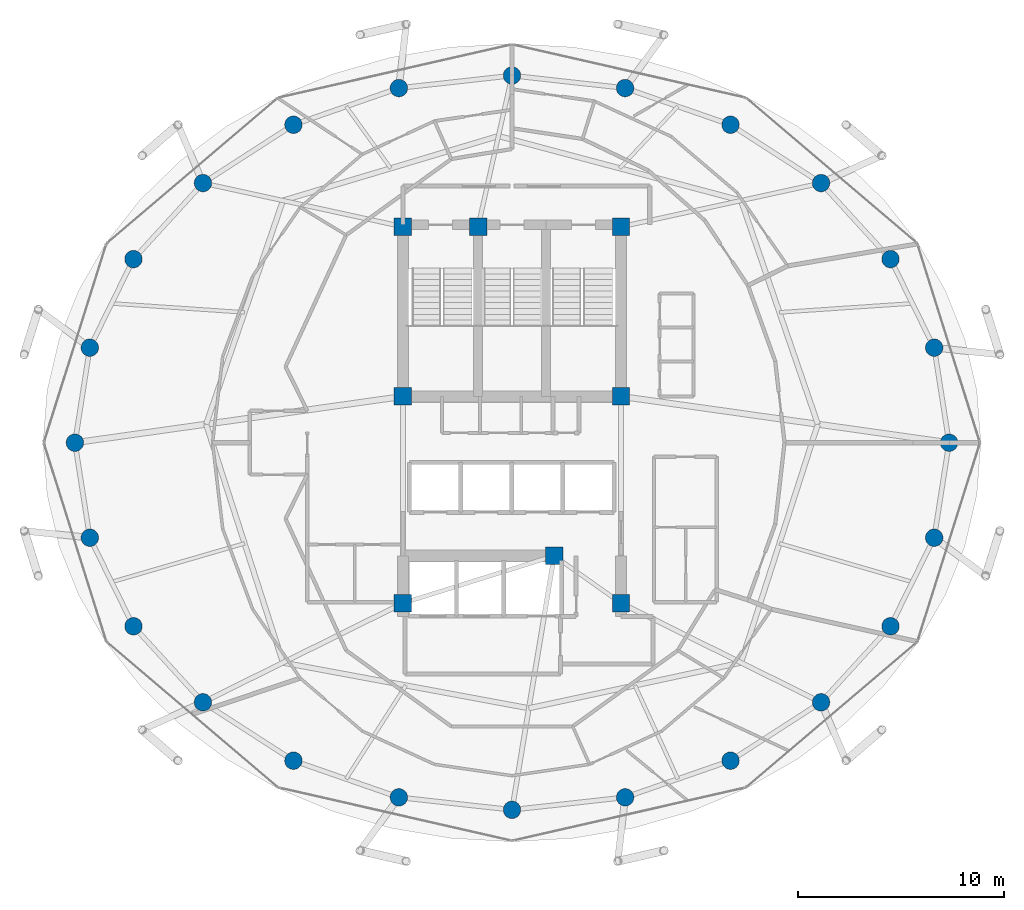
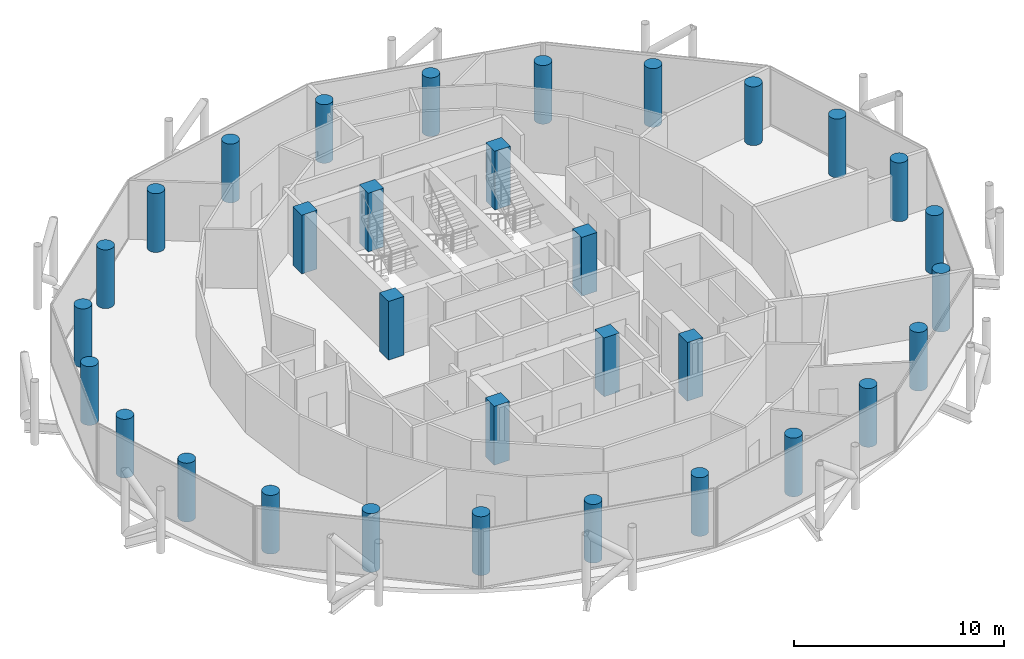
# One storey, part 1 of 27: 32 columns.
"""IFC4 building model written with IfcOpenShell, lengths in metres."""

from ifc_helpers import new_model, si_unit, direction, frame, origin, origin_2d, place, context, subcontext, project, spatial, rectangle, circle, extrude, material, material_profile, profile_set, type_object, element, save


model = new_model("IFC4")

# Units and contexts
model_context = context("Model", 3, precision=1e-05, world=origin(), true_north=direction((0.0, 1.0)))
body_context = subcontext(model_context, "Body", "Model", "MODEL_VIEW")
ifc_project = project(units=[si_unit("LENGTHUNIT", "METRE"), si_unit("AREAUNIT", "SQUARE_METRE"), si_unit("VOLUMEUNIT", "CUBIC_METRE"), si_unit("PLANEANGLEUNIT", "RADIAN"), si_unit("MASSUNIT", "GRAM", prefix="KILO")], contexts=[model_context])

# Site, building, storey
site_placement = place(None, origin())
site = spatial("IfcSite", under=ifc_project, at=site_placement, CompositionType="ELEMENT")
building_placement = place(site_placement, origin())
building = spatial("IfcBuilding", under=site, at=building_placement, Name="Nuhasar Tower", CompositionType="ELEMENT")
storey_placement = place(building_placement, frame((0.0, 0.0, 237.35009765625)))
storey = spatial("IfcBuildingStorey", under=building, at=storey_placement, Name="L58", CompositionType="ELEMENT", Elevation=237.35009765625)

# Columns
ifc_material = material(Name="Concrete C55/67", Category="concrete")
ifc_material_profile_1 = material_profile(ifc_material, circle(Radius=0.425048828125, at=origin_2d()), Name="CFT850")
ifc_profile_set_1 = profile_set([ifc_material_profile_1], Name="Concrete C55/67")
column_type_1 = type_object("IfcColumnType", Name="COL-CFT-850", PredefinedType="COLUMN", material=ifc_profile_set_1)
for number, where, z_axis, x_axis, name in (
    (1, (60.25, 26.800048828125, 0.0), (0.0, 0.0, 1.0), (1.0, 0.0, 0.0), "L58 Perimeter Composite Column TC-01"),
    (2, (59.52587890625, 31.419921875, 0.0), (0.0, 0.0, 1.0), (1.0, 0.0, 0.0), "L58 Perimeter Composite Column TC-02"),
    (3, (57.403076171875, 35.72509765625, 0.0), (0.0, 0.0, 1.0), (1.0, 0.0, 0.0), "L58 Perimeter Composite Column TC-03"),
    (4, (54.02587890625, 39.422119140625, 0.0), (0.0, 0.0, 1.0), (1.0, 0.0, 0.0), "L58 Perimeter Composite Column TC-04"),
    (5, (49.625, 42.259033203125, 0.0), (0.0, 0.0, 1.0), (1.0, 0.0, 0.0), "L58 Perimeter Composite Column TC-05"),
    (6, (44.5, 44.0419921875, 0.0), (0.0, 0.0, 1.0), (1.0, 0.0, 0.0), "L58 Perimeter Composite Column TC-06"),
    (7, (39.0, 44.64990234375, 0.0), (0.0, 0.0, 1.0), (1.0, 0.0, 0.0), "L58 Perimeter Composite Column TC-07"),
    (8, (33.5, 44.0419921875, 0.0), (0.0, 0.0, 1.0), (1.0, 0.0, 0.0), "L58 Perimeter Composite Column TC-08"),
    (9, (28.375, 42.259033203125, 0.0), (0.0, 0.0, 1.0), (1.0, 0.0, 0.0), "L58 Perimeter Composite Column TC-09"),
    (10, (23.97412109375, 39.422119140625, 0.0), (0.0, 0.0, 1.0), (1.0, 0.0, 0.0), "L58 Perimeter Composite Column TC-10"),
    (11, (20.596923828125, 35.72509765625, 0.0), (0.0, 0.0, 1.0), (1.0, 0.0, 0.0), "L58 Perimeter Composite Column TC-11"),
    (12, (18.47412109375, 31.419921875, 0.0), (0.0, 0.0, 1.0), (1.0, 0.0, 0.0), "L58 Perimeter Composite Column TC-12"),
    (13, (17.75, 26.800048828125, 0.0), (0.0, 0.0, 1.0), (1.0, 0.0, 0.0), "L58 Perimeter Composite Column TC-13"),
    (14, (18.47412109375, 22.179931640625, 0.0), (0.0, 0.0, 1.0), (1.0, 0.0, 0.0), "L58 Perimeter Composite Column TC-14"),
    (15, (20.596923828125, 17.875, 0.0), (0.0, 0.0, 1.0), (1.0, 0.0, 0.0), "L58 Perimeter Composite Column TC-15"),
    (16, (23.97412109375, 14.177978515625, 0.0), (0.0, 0.0, 1.0), (1.0, 0.0, 0.0), "L58 Perimeter Composite Column TC-16"),
    (17, (28.375, 11.341064453125, 0.0), (0.0, 0.0, 1.0), (1.0, 0.0, 0.0), "L58 Perimeter Composite Column TC-17"),
    (18, (33.5, 9.55810546875, 0.0), (0.0, 0.0, 1.0), (1.0, 0.0, 0.0), "L58 Perimeter Composite Column TC-18"),
    (19, (39.0, 8.949951171875, 0.0), (0.0, 0.0, 1.0), (1.0, 0.0, 0.0), "L58 Perimeter Composite Column TC-19"),
    (20, (44.5, 9.55810546875, 0.0), (0.0, 0.0, 1.0), (1.0, 0.0, 0.0), "L58 Perimeter Composite Column TC-20"),
    (21, (49.625, 11.341064453125, 0.0), (0.0, 0.0, 1.0), (1.0, 0.0, 0.0), "L58 Perimeter Composite Column TC-21"),
    (22, (54.02587890625, 14.177978515625, 0.0), (0.0, 0.0, 1.0), (1.0, 0.0, 0.0), "L58 Perimeter Composite Column TC-22"),
    (23, (57.403076171875, 17.875, 0.0), (0.0, 0.0, 1.0), (1.0, 0.0, 0.0), "L58 Perimeter Composite Column TC-23"),
    (24, (59.52587890625, 22.179931640625, 0.0), (0.0, 0.0, 1.0), (1.0, 0.0, 0.0), "L58 Perimeter Composite Column TC-24"),
):
    element("IfcColumn", number, at=place(storey_placement, frame(where, z_axis=z_axis, x_axis=x_axis)), inside=storey, type_object=column_type_1, Name=name, PredefinedType="COLUMN", context=body_context, shape_type="SweptSolid", body=[
        extrude(circle(Radius=0.425048828125, at=origin_2d()), origin(), (0.0, 0.0, 1.0), 3.409912109375),
    ])
ifc_material_profile_2 = material_profile(ifc_material, rectangle(XDim=0.85009765625, YDim=0.85009765625, at=origin_2d()), Name="RC850X850")
ifc_profile_set_2 = profile_set([ifc_material_profile_2], Name="Concrete C55/67")
column_type_2 = type_object("IfcColumnType", Name="PIL-RC-850", PredefinedType="PILASTER", material=ifc_profile_set_2)
for number, where, z_axis, x_axis, name in (
    (25, (33.699951171875, 19.0, 0.0), (0.0, 0.0, 1.0), (1.0, 0.0, 0.0), "L58 Core Boundary Pilaster CC-01"),
    (26, (41.050048828125, 21.300048828125, 0.0), (0.0, 0.0, 1.0), (1.0, 0.0, 0.0), "L58 Core Boundary Pilaster CC-02"),
    (27, (44.300048828125, 19.0, 0.0), (0.0, 0.0, 1.0), (1.0, 0.0, 0.0), "L58 Core Boundary Pilaster CC-03"),
    (28, (44.300048828125, 29.050048828125, 0.0), (0.0, 0.0, 1.0), (1.0, 0.0, 0.0), "L58 Core Boundary Pilaster CC-04"),
    (29, (44.300048828125, 37.300048828125, 0.0), (0.0, 0.0, 1.0), (1.0, 0.0, 0.0), "L58 Core Boundary Pilaster CC-05"),
    (30, (37.35009765625, 37.300048828125, 0.0), (0.0, 0.0, 1.0), (1.0, 0.0, 0.0), "L58 Core Boundary Pilaster CC-06"),
    (31, (33.699951171875, 37.300048828125, 0.0), (0.0, 0.0, 1.0), (1.0, 0.0, 0.0), "L58 Core Boundary Pilaster CC-07"),
    (32, (33.699951171875, 29.050048828125, 0.0), (0.0, 0.0, 1.0), (1.0, 0.0, 0.0), "L58 Core Boundary Pilaster CC-08"),
):
    element("IfcColumn", number, at=place(storey_placement, frame(where, z_axis=z_axis, x_axis=x_axis)), inside=storey, type_object=column_type_2, Name=name, PredefinedType="PILASTER", context=body_context, shape_type="SweptSolid", body=[
        extrude(rectangle(XDim=0.85009765625, YDim=0.85009765625, at=origin_2d()), origin(), (0.0, 0.0, 1.0), 3.409912109375),
    ])

save(model, "model.ifc")
